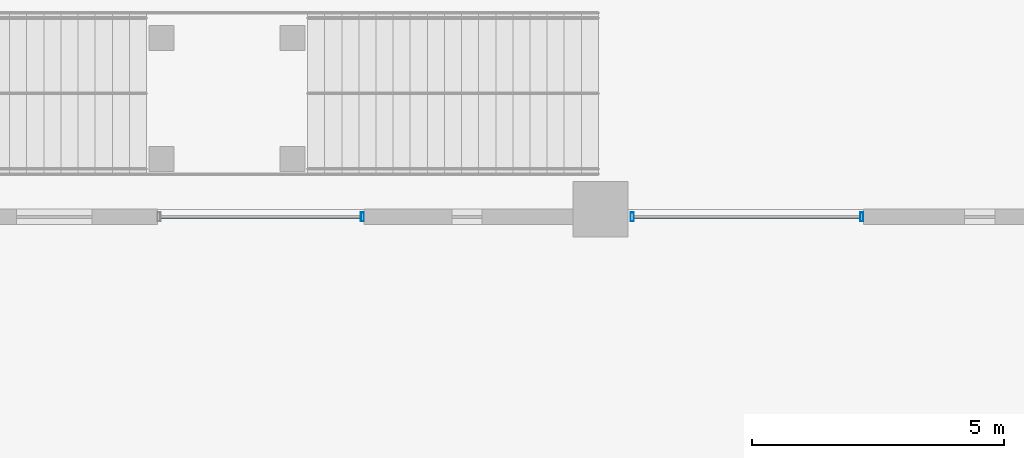
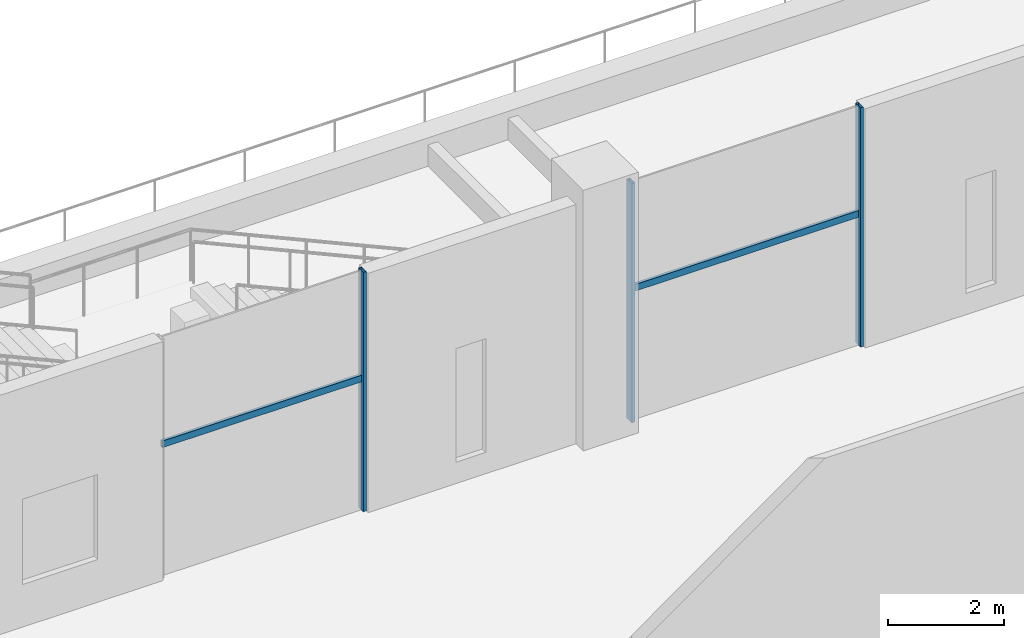
# One storey, part 15 of 47: 5 members, 2 elements without a shape of their own.
"""IFC4 building model written with IfcOpenShell, lengths in metres."""

from ifc_helpers import new_model, si_unit, direction, frame, origin, origin_2d, place, context, subcontext, project, spatial, hollow_rectangle, extrude, material, material_profile, profile_set, type_object, element, aggregate, save


model = new_model("IFC4")

# Units and contexts
model_context = context("Model", 3, precision=1e-05, world=origin(), true_north=direction((0.0, 1.0)))
body_context = subcontext(model_context, "Body", "Model", "MODEL_VIEW")
ifc_project = project(units=[si_unit("LENGTHUNIT", "METRE"), si_unit("AREAUNIT", "SQUARE_METRE"), si_unit("VOLUMEUNIT", "CUBIC_METRE"), si_unit("PLANEANGLEUNIT", "RADIAN"), si_unit("MASSUNIT", "GRAM", prefix="KILO")], contexts=[model_context])

# Site, building, storey
site_placement = place(None, origin())
site = spatial("IfcSite", under=ifc_project, at=site_placement, CompositionType="ELEMENT")
building_placement = place(site_placement, origin())
building = spatial("IfcBuilding", under=site, at=building_placement, Name="Altepetl Exchange Towers", CompositionType="ELEMENT")
storey_placement = place(building_placement, frame((0.0, 0.0, 6.0)))
storey = spatial("IfcBuildingStorey", under=building, at=storey_placement, Name="L01 Retail podium", CompositionType="ELEMENT", Elevation=6.0)

# Curtain wall, members
ifc_material_1 = material(Name="Aluminium 6063-T6 glazing", Category="aluminium")
curtain_wall_type = type_object("IfcCurtainWallType", Name="Podium storefront system", PredefinedType="NOTDEFINED", material=ifc_material_1)
curtain_wall_1_placement = place(storey_placement, origin())
curtain_wall_1 = element("IfcCurtainWall", 1, at=curtain_wall_1_placement, inside=storey, type_object=curtain_wall_type, Name="CW5 run", PredefinedType="NOTDEFINED")
ifc_material_2 = material(Name="Aluminium 6063-T6", Category="aluminium")
ifc_material_profile_1 = material_profile(ifc_material_2, hollow_rectangle(XDim=0.06005859375, YDim=0.175048828125, WallThickness=0.0029296875, at=origin_2d()), Name="Mullion 60x175 aluminium")
ifc_profile_set_1 = profile_set([ifc_material_profile_1], Name="Aluminium 6063-T6")
member_type_1 = type_object("IfcMemberType", Name="Mullion 60x175 aluminium", PredefinedType="MULLION", material=ifc_profile_set_1)
member_1_placement = place(storey_placement, frame((122.195068359375, 89.85009765625, 0.0), z_axis=(0.0, 0.0, 1.0), x_axis=(-1.0, 0.0, 0.0)))
member_1 = element("IfcMember", 2, at=member_1_placement, type_object=member_type_1, Name="MU4 mullion", PredefinedType="MULLION", context=body_context, shape_type="SweptSolid", body=[
    extrude(hollow_rectangle(XDim=0.06005859375, YDim=0.175048828125, WallThickness=0.0029296875, at=origin_2d()), origin(), (0.0, 0.0, 1.0), 5.050048828125),
])
member_2_placement = place(storey_placement, frame((117.6298828125, 89.85009765625, 0.0), z_axis=(0.0, 0.0, 1.0), x_axis=(-1.0, 0.0, 0.0)))
member_2 = element("IfcMember", 3, at=member_2_placement, type_object=member_type_1, Name="MU4 mullion", PredefinedType="MULLION", context=body_context, shape_type="SweptSolid", body=[
    extrude(hollow_rectangle(XDim=0.06005859375, YDim=0.175048828125, WallThickness=0.0029296875, at=origin_2d()), origin(), (0.0, 0.0, 1.0), 5.050048828125),
])

# Curtain wall, member
curtain_wall_2_placement = place(storey_placement, origin())
curtain_wall_2 = element("IfcCurtainWall", 4, at=curtain_wall_2_placement, inside=storey, type_object=curtain_wall_type, Name="CW5 run", PredefinedType="NOTDEFINED")
member_3_placement = place(storey_placement, frame((112.27001953125, 89.85009765625, 0.0), z_axis=(0.0, 0.0, 1.0), x_axis=(-1.0, 0.0, 0.0)))
member_3 = element("IfcMember", 5, at=member_3_placement, type_object=member_type_1, Name="MU4 mullion", PredefinedType="MULLION", context=body_context, shape_type="SweptSolid", body=[
    extrude(hollow_rectangle(XDim=0.06005859375, YDim=0.175048828125, WallThickness=0.0029296875, at=origin_2d()), origin(), (0.0, 0.0, 1.0), 5.050048828125),
])

# Member
ifc_material_profile_2 = material_profile(ifc_material_2, hollow_rectangle(XDim=0.06005859375, YDim=0.139892578125, WallThickness=0.0029296875, at=origin_2d()), Name="Transom 60x140 aluminium")
ifc_profile_set_2 = profile_set([ifc_material_profile_2], Name="Aluminium 6063-T6")
member_type_2 = type_object("IfcMemberType", Name="Transom 60x140 aluminium", PredefinedType="USERDEFINED", material=ifc_profile_set_2)
member_4_placement = place(storey_placement, frame((122.1650390625, 89.85009765625, 2.780029296875), z_axis=(-1.0, 0.0, 0.0), x_axis=(0.0, -1.0, 0.0)))
member_4 = element("IfcMember", 6, at=member_4_placement, type_object=member_type_2, Name="TR3 transom", ObjectType="TRANSOM", PredefinedType="USERDEFINED", context=body_context, shape_type="SweptSolid", body=[
    extrude(hollow_rectangle(XDim=0.06005859375, YDim=0.139892578125, WallThickness=0.0029296875, at=origin_2d()), origin(), (0.0, 0.0, 1.0), 4.505126953125),
])

aggregate(curtain_wall_1, [member_1, member_2, member_4])

member_5_placement = place(storey_placement, frame((112.239990234375, 89.85009765625, 2.780029296875), z_axis=(-1.0, 0.0, 0.0), x_axis=(0.0, -1.0, 0.0)))
member_5 = element("IfcMember", 7, at=member_5_placement, type_object=member_type_2, Name="TR3 transom", ObjectType="TRANSOM", PredefinedType="USERDEFINED", context=body_context, shape_type="SweptSolid", body=[
    extrude(hollow_rectangle(XDim=0.06005859375, YDim=0.139892578125, WallThickness=0.0029296875, at=origin_2d()), origin(), (0.0, 0.0, 1.0), 3.97998046875),
])

aggregate(curtain_wall_2, [member_3, member_5])

save(model, "model.ifc")
